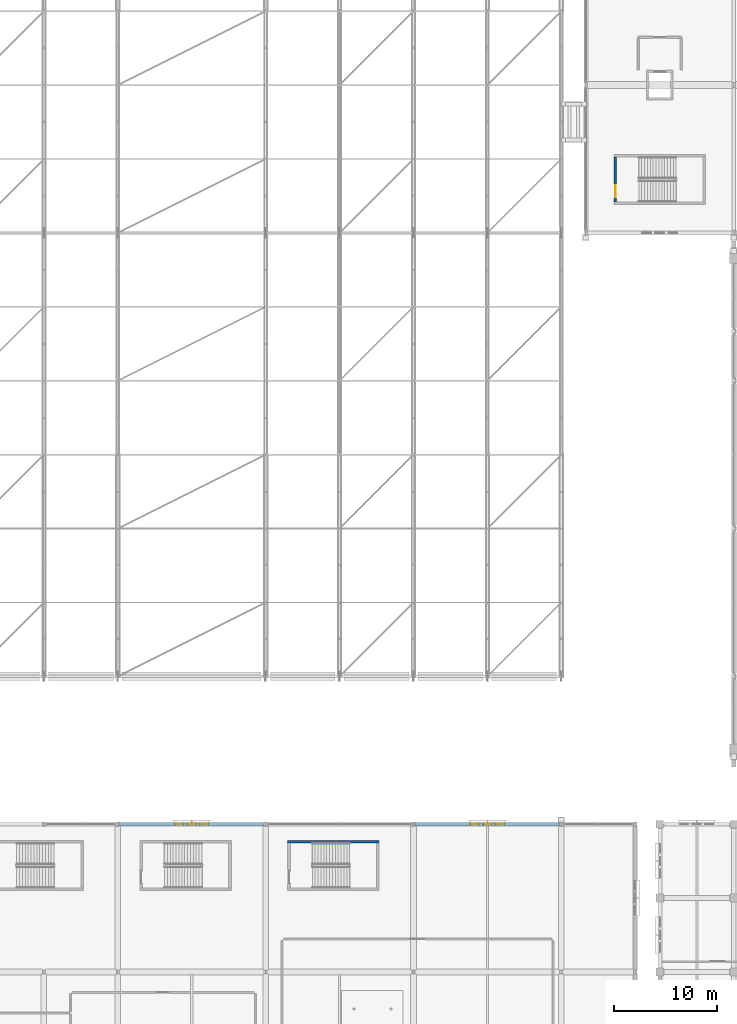
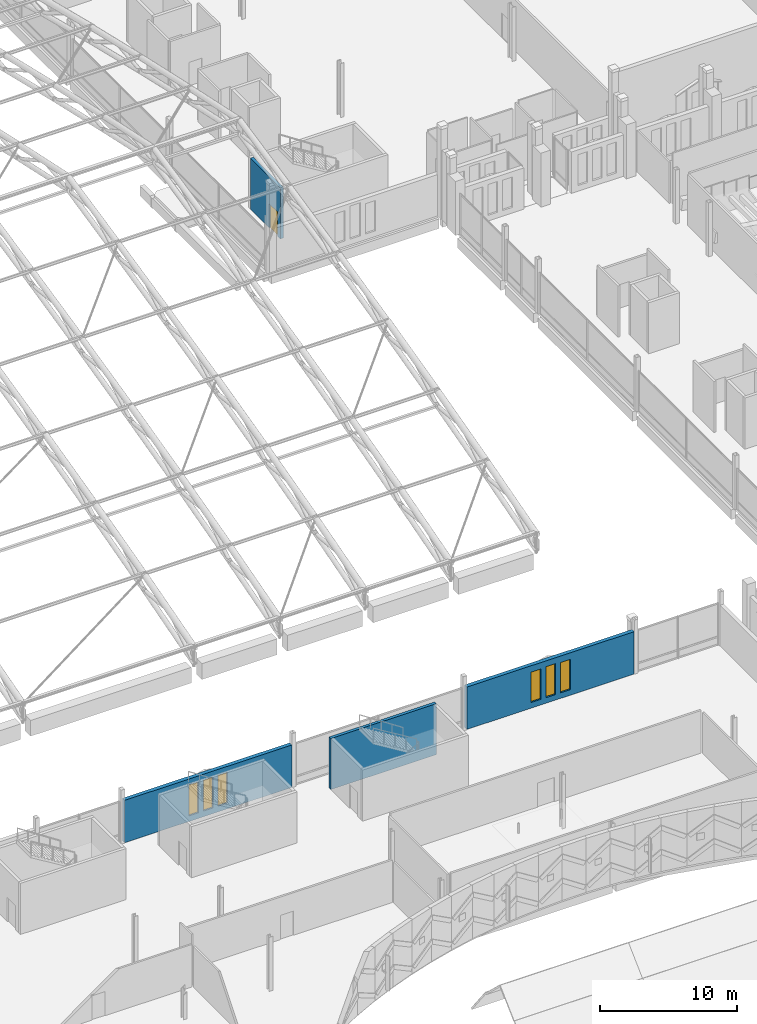
# One storey, part 139 of 193: 6 windows, 4 walls, 1 door, 7 openings.
"""IFC4 building model written with IfcOpenShell, lengths in metres."""

import ifcopenshell
import ifcopenshell.guid

model = None  # the IFC model being written
_history = None  # IfcOwnerHistory: only IFC2X3 demands one
_inside = {}  # id of a spatial element -> (the spatial element, [elements in it])
_under = {}  # id of a project, library or spatial element -> (it, [spatial elements below it])
_declared = {}  # id of a project -> (the project, [libraries it declares])
_typed = {}  # id of a type object -> (the type object, [elements of that type])
_made_of = {}  # id of a material, layer set ... -> (it, [elements and type objects made of it])


def new_model(schema):
    """Start an empty IFC model of exactly this schema.

    Asked for "IFC4X3", IfcOpenShell would pick the latest addendum, in which some entities
    have other attributes; the version numbers below select the first issue.
    IFC2X3 requires an IfcOwnerHistory on every rooted entity: one is made here for all.
    """
    global model, _history
    if schema == "IFC4X3":
        model = ifcopenshell.file(schema_version=(4, 3, 0, 0))
    else:
        model = ifcopenshell.file(schema=schema)
    _inside.clear()
    _under.clear()
    _declared.clear()
    _typed.clear()
    _made_of.clear()
    _history = None
    if model.schema == "IFC2X3":
        org = make("IfcOrganization", Name="unknown")
        user = make(
            "IfcPersonAndOrganization",
            ThePerson=make("IfcPerson", FamilyName="unknown"),
            TheOrganization=org,
        )
        app = make(
            "IfcApplication",
            ApplicationDeveloper=org,
            Version="unknown",
            ApplicationFullName="unknown",
            ApplicationIdentifier="unknown",
        )
        _history = make(
            "IfcOwnerHistory",
            OwningUser=user,
            OwningApplication=app,
            ChangeAction="ADDED",
            CreationDate=0,
        )
    return model


def make(cls, **values):
    """One entity of the class cls with the attributes given. An attribute that is None is left unset."""
    return model.create_entity(
        cls, **{name: value for name, value in values.items() if value is not None}
    )


def rooted(cls, **values):
    """An entity with a GlobalId (a new one), such as an element, a storey or a relation."""
    return make(cls, GlobalId=ifcopenshell.guid.new(), OwnerHistory=_history, **values)


def si_unit(unit_type, name, prefix=None):
    """IfcSIUnit, for example si_unit("LENGTHUNIT", "METRE", prefix="MILLI")."""
    return make("IfcSIUnit", UnitType=unit_type, Prefix=prefix, Name=name)


def assignment(units):
    """IfcUnitAssignment: the units of a project."""
    return None if units is None else make("IfcUnitAssignment", Units=units)


def point(xyz):
    """IfcCartesianPoint."""
    return None if xyz is None else make("IfcCartesianPoint", Coordinates=xyz)


def direction(xyz):
    """IfcDirection."""
    return None if xyz is None else make("IfcDirection", DirectionRatios=xyz)


def frame(location, z_axis=None, x_axis=None):
    """IfcAxis2Placement3D, a coordinate frame: its origin and axes. An axis left out is left unset."""
    return make(
        "IfcAxis2Placement3D",
        Location=point(location),
        Axis=direction(z_axis),
        RefDirection=direction(x_axis),
    )


def frame_2d(location, x_axis=None):
    """IfcAxis2Placement2D, a coordinate frame in the plane: its origin and x axis."""
    return make(
        "IfcAxis2Placement2D", Location=point(location), RefDirection=direction(x_axis)
    )


def origin():
    """The frame at (0, 0, 0) with its axes left unset."""
    return frame((0.0, 0.0, 0.0))


def place(relative_to, where):
    """IfcLocalPlacement: puts the frame where relative to a parent placement (None: the world)."""
    return make(
        "IfcLocalPlacement", PlacementRelTo=relative_to, RelativePlacement=where
    )


def context(
    kind, dimensions, precision=None, world=None, true_north=None, identifier=None
):
    """IfcGeometricRepresentationContext, for example the 3D "Model" context."""
    return make(
        "IfcGeometricRepresentationContext",
        ContextIdentifier=identifier,
        ContextType=kind,
        CoordinateSpaceDimension=dimensions,
        Precision=precision,
        WorldCoordinateSystem=world,
        TrueNorth=true_north,
    )


def subcontext(parent, identifier, kind, view, scale=None):
    """IfcGeometricRepresentationSubContext, for example "Body" below "Model"."""
    return make(
        "IfcGeometricRepresentationSubContext",
        ContextIdentifier=identifier,
        ContextType=kind,
        ParentContext=parent,
        TargetScale=scale,
        TargetView=view,
    )


def project(units=None, contexts=None):
    """IfcProject with its units and contexts."""
    return rooted(
        "IfcProject",
        Name="project",
        RepresentationContexts=contexts,
        UnitsInContext=assignment(units),
    )


def spatial(cls, under=None, at=None, **own):
    """A site, building, storey or space (cls), placed at a placement, below another one or the project."""
    s = rooted(cls, ObjectPlacement=at, **own)
    if under is not None:
        _under.setdefault(under.id(), (under, []))[1].append(s)
    return s


def profile(cls, at=None, kind="AREA", **sizes):
    """A parametric profile (cls). Its sizes go by their IFC names, for example OverallWidth=200.0."""
    return make(cls, ProfileType=kind, Position=at, **sizes)


def rectangle(**sizes):
    """IfcRectangleProfileDef."""
    return profile("IfcRectangleProfileDef", **sizes)


def extrude(swept, where, along, depth):
    """IfcExtrudedAreaSolid: the profile swept, set in the frame where, extruded along a direction by depth."""
    return make(
        "IfcExtrudedAreaSolid",
        SweptArea=swept,
        Position=where,
        ExtrudedDirection=direction(along),
        Depth=depth,
    )


def shape(context_of_items, identifier, shape_type, items):
    """IfcShapeRepresentation: the items that make up one representation, for example the "Body"."""
    return make(
        "IfcShapeRepresentation",
        ContextOfItems=context_of_items,
        RepresentationIdentifier=identifier,
        RepresentationType=shape_type,
        Items=items,
    )


def material(Name=None, Category=None):
    """IfcMaterial."""
    return make("IfcMaterial", Name=Name, Category=Category)


def layer(
    of_material, thickness, ventilated=None, Name=None, Category=None, Priority=None
):
    """IfcMaterialLayer: one layer of a wall or slab, of a material (None: an air gap)."""
    return make(
        "IfcMaterialLayer",
        Material=of_material,
        LayerThickness=thickness,
        IsVentilated=ventilated,
        Name=Name,
        Category=Category,
        Priority=Priority,
    )


def layer_set(layers, Name=None):
    """IfcMaterialLayerSet."""
    return make("IfcMaterialLayerSet", MaterialLayers=layers, LayerSetName=Name)


def made_of(thing, what):
    """Note that an element or type object is made of a material, layer set ...; save() writes the relation."""
    if what is not None:
        _made_of.setdefault(what.id(), (what, []))[1].append(thing)
    return thing


def type_object(cls, material=None, **own):
    """A type object (cls), such as IfcWallType, which elements share."""
    return made_of(rooted(cls, **own), material)


def element(
    cls,
    number,
    at=None,
    inside=None,
    cuts=None,
    type_object=None,
    material=None,
    context=None,
    identifier="Body",
    shape_type=None,
    held_by="IfcProductDefinitionShape",
    body=None,
    shapes=None,
    **own,
):
    """One element of the class cls, such as IfcWall. Its Tag is "e" and its number.

    at: its placement. inside: the storey or other place that contains it. cuts: it is an
    opening in that element (IfcRelVoidsElement). A single representation is given by context,
    identifier, shape_type and body (its items); several are given by shapes. held_by: the class
    of the entity that holds the representations. save() writes the other relations.
    """
    e = rooted(cls, Tag="e%d" % number, ObjectPlacement=at, **own)
    if body is not None:
        shapes = [shape(context, identifier, shape_type, body)]
    if shapes is not None:
        e.Representation = make(held_by, Representations=shapes)
    if inside is not None:
        _inside.setdefault(inside.id(), (inside, []))[1].append(e)
    if cuts is not None:
        rooted(
            "IfcRelVoidsElement", RelatingBuildingElement=cuts, RelatedOpeningElement=e
        )
    if type_object is not None:
        _typed.setdefault(type_object.id(), (type_object, []))[1].append(e)
    return made_of(e, material)


def fill(opening, filler):
    """IfcRelFillsElement: the door or window that sits in an opening."""
    return rooted(
        "IfcRelFillsElement",
        RelatingOpeningElement=opening,
        RelatedBuildingElement=filler,
    )


def aggregate(whole, parts):
    """IfcRelAggregates: a whole, such as a stair, and the parts it consists of."""
    return rooted("IfcRelAggregates", RelatingObject=whole, RelatedObjects=parts)


def save(model, path):
    """Write the relations noted so far, then the file.

    IfcRelAggregates (storeys below a building ...), IfcRelContainedInSpatialStructure (elements
    in a storey), IfcRelDefinesByType, IfcRelAssociatesMaterial and IfcRelDeclares: one each for
    every whole, place, type object, material and project.
    """
    for whole, parts in _under.values():
        aggregate(whole, parts)
    for where, things in _inside.values():
        rooted(
            "IfcRelContainedInSpatialStructure",
            RelatedElements=things,
            RelatingStructure=where,
        )
    for kind, things in _typed.values():
        rooted("IfcRelDefinesByType", RelatedObjects=things, RelatingType=kind)
    for what, things in _made_of.values():
        rooted("IfcRelAssociatesMaterial", RelatedObjects=things, RelatingMaterial=what)
    for by, libraries in _declared.values():
        rooted("IfcRelDeclares", RelatingContext=by, RelatedDefinitions=libraries)
    model.write(path)


model = new_model("IFC4")

# Units and contexts
model_context = context("Model", 3, precision=1e-05, world=origin(), true_north=direction((0.0, 1.0)))
body_context = subcontext(model_context, "Body", "Model", "MODEL_VIEW")
ifc_project = project(units=[si_unit("LENGTHUNIT", "METRE"), si_unit("AREAUNIT", "SQUARE_METRE"), si_unit("VOLUMEUNIT", "CUBIC_METRE"), si_unit("PLANEANGLEUNIT", "RADIAN"), si_unit("MASSUNIT", "GRAM", prefix="KILO")], contexts=[model_context])

# Site, building, storey
site_placement = place(None, origin())
site = spatial("IfcSite", under=ifc_project, at=site_placement, CompositionType="ELEMENT")
building_placement = place(site_placement, origin())
building = spatial("IfcBuilding", under=site, at=building_placement, Name="Cendralis Lancet Convention Centre", CompositionType="ELEMENT")
storey_placement = place(building_placement, frame((0.0, 0.0, 10.199951171875)))
storey = spatial("IfcBuildingStorey", under=building, at=storey_placement, Name="L02", CompositionType="ELEMENT", Elevation=10.199951171875)

# Wall, openings, windows
ifc_material_1 = material(Name="Buff sandstone ashlar and Concrete G40 (C40/50)", Category="masonry")
ifc_layer_1 = layer(ifc_material_1, 0.320068359375, Name="Buff sandstone ashlar and Concrete G40 (C40/50)")
ifc_layer_set_1 = layer_set([ifc_layer_1], Name="Buff sandstone ashlar and Concrete G40 (C40/50)")
wall_type_1 = type_object("IfcWallType", Name="ARC-EW-W320", PredefinedType="STANDARD", material=ifc_layer_set_1)
wall_1_placement = place(storey_placement, frame((79.35791015625, 36.0, 0.0), z_axis=(0.0, 0.0, 1.0), x_axis=(1.0, 0.0, 0.0)))
wall_1 = element("IfcWall", 1, at=wall_1_placement, inside=storey, type_object=wall_type_1, Name="L02 V4 Exterior Wall EW-06 #0209", PredefinedType="STANDARD", context=body_context, shape_type="SweptSolid", body=[
    extrude(rectangle(XDim=14.083984375, YDim=0.320068359375, at=frame_2d((7.0419921875, 0.0))), origin(), (0.0, 0.0, 1.0), 3.775146484375),
])
opening_1_placement = place(wall_1_placement, frame((5.422119140625, 0.0, 0.5)))
opening_1 = element("IfcOpeningElement", 2, at=opening_1_placement, cuts=wall_1, Name="Opening WN-07", PredefinedType="OPENING", context=body_context, shape_type="SweptSolid", body=[
    extrude(rectangle(XDim=0.800048828125, YDim=2.75, at=frame_2d((0.39990234375, 1.375))), frame((0.0, 0.169921875, 0.0), z_axis=(0.0, -1.0, 0.0), x_axis=(1.0, 0.0, 0.0)), (0.0, 0.0, 1.0), 0.340087890625),
])
opening_2_placement = place(wall_1_placement, frame((6.64208984375, 0.0, 0.5)))
opening_2 = element("IfcOpeningElement", 3, at=opening_2_placement, cuts=wall_1, Name="Opening WN-07", PredefinedType="OPENING", context=body_context, shape_type="SweptSolid", body=[
    extrude(rectangle(XDim=0.800048828125, YDim=2.75, at=frame_2d((0.39990234375, 1.375))), frame((0.0, 0.169921875, 0.0), z_axis=(0.0, -1.0, 0.0), x_axis=(1.0, 0.0, 0.0)), (0.0, 0.0, 1.0), 0.340087890625),
])
opening_3_placement = place(wall_1_placement, frame((7.862060546875, 0.0, 0.5)))
opening_3 = element("IfcOpeningElement", 4, at=opening_3_placement, cuts=wall_1, Name="Opening WN-07", PredefinedType="OPENING", context=body_context, shape_type="SweptSolid", body=[
    extrude(rectangle(XDim=0.800048828125, YDim=2.75, at=frame_2d((0.39990234375, 1.375))), frame((0.0, 0.169921875, 0.0), z_axis=(0.0, -1.0, 0.0), x_axis=(1.0, 0.0, 0.0)), (0.0, 0.0, 1.0), 0.340087890625),
])
ifc_material_2 = material(Name="Double-glazed low-E solar-control glass", Category="glass")
window_type_1 = type_object("IfcWindowType", Name="ARC-WN-LW07", PartitioningType="SINGLE_PANEL", PredefinedType="WINDOW", material=ifc_material_2)
window_1_placement = place(opening_1_placement, origin())
window_1 = element("IfcWindow", 5, at=window_1_placement, inside=storey, type_object=window_type_1, Name="Gothic Lancet Window WN-07 #0412", OverallHeight=2.75, OverallWidth=0.800048828125, PartitioningType="SINGLE_PANEL", PredefinedType="WINDOW", context=body_context, shape_type="SweptSolid", body=[
    extrude(rectangle(XDim=0.800048828125, YDim=2.75, at=frame_2d((0.39990234375, 1.375))), frame((0.0, 0.030029296875, 0.0), z_axis=(0.0, -1.0, 0.0), x_axis=(1.0, 0.0, 0.0)), (0.0, 0.0, 1.0), 0.06005859375),
])
fill(opening_1, window_1)
window_2_placement = place(opening_2_placement, origin())
window_2 = element("IfcWindow", 6, at=window_2_placement, inside=storey, type_object=window_type_1, Name="Gothic Lancet Window WN-07 #0413", OverallHeight=2.75, OverallWidth=0.800048828125, PartitioningType="SINGLE_PANEL", PredefinedType="WINDOW", context=body_context, shape_type="SweptSolid", body=[
    extrude(rectangle(XDim=0.800048828125, YDim=2.75, at=frame_2d((0.39990234375, 1.375))), frame((0.0, 0.030029296875, 0.0), z_axis=(0.0, -1.0, 0.0), x_axis=(1.0, 0.0, 0.0)), (0.0, 0.0, 1.0), 0.06005859375),
])
fill(opening_2, window_2)
window_3_placement = place(opening_3_placement, origin())
window_3 = element("IfcWindow", 7, at=window_3_placement, inside=storey, type_object=window_type_1, Name="Gothic Lancet Window WN-07 #0414", OverallHeight=2.75, OverallWidth=0.800048828125, PartitioningType="SINGLE_PANEL", PredefinedType="WINDOW", context=body_context, shape_type="SweptSolid", body=[
    extrude(rectangle(XDim=0.800048828125, YDim=2.75, at=frame_2d((0.39990234375, 1.375))), frame((0.0, 0.030029296875, 0.0), z_axis=(0.0, -1.0, 0.0), x_axis=(1.0, 0.0, 0.0)), (0.0, 0.0, 1.0), 0.06005859375),
])
fill(opening_3, window_3)

wall_2_placement = place(storey_placement, frame((108.157958984375, 36.0, 0.0), z_axis=(0.0, 0.0, 1.0), x_axis=(1.0, 0.0, 0.0)))
wall_2 = element("IfcWall", 8, at=wall_2_placement, inside=storey, type_object=wall_type_1, Name="L02 V4 Exterior Wall EW-06 #0210", PredefinedType="STANDARD", context=body_context, shape_type="SweptSolid", body=[
    extrude(rectangle(XDim=14.083984375, YDim=0.320068359375, at=frame_2d((7.0419921875, 0.0))), origin(), (0.0, 0.0, 1.0), 3.775146484375),
])
opening_4_placement = place(wall_2_placement, frame((5.382080078125, 0.0, 0.5)))
opening_4 = element("IfcOpeningElement", 9, at=opening_4_placement, cuts=wall_2, Name="Opening WN-15", PredefinedType="OPENING", context=body_context, shape_type="SweptSolid", body=[
    extrude(rectangle(XDim=0.840087890625, YDim=2.699951171875, at=frame_2d((0.419921875, 1.35009765625))), frame((0.0, 0.169921875, 0.0), z_axis=(0.0, -1.0, 0.0), x_axis=(1.0, 0.0, 0.0)), (0.0, 0.0, 1.0), 0.340087890625),
])
opening_5_placement = place(wall_2_placement, frame((6.64208984375, 0.0, 0.5)))
opening_5 = element("IfcOpeningElement", 10, at=opening_5_placement, cuts=wall_2, Name="Opening WN-07", PredefinedType="OPENING", context=body_context, shape_type="SweptSolid", body=[
    extrude(rectangle(XDim=0.800048828125, YDim=2.75, at=frame_2d((0.39990234375, 1.375))), frame((0.0, 0.169921875, 0.0), z_axis=(0.0, -1.0, 0.0), x_axis=(1.0, 0.0, 0.0)), (0.0, 0.0, 1.0), 0.340087890625),
])
opening_6_placement = place(wall_2_placement, frame((7.862060546875, 0.0, 0.5)))
opening_6 = element("IfcOpeningElement", 11, at=opening_6_placement, cuts=wall_2, Name="Opening WN-15", PredefinedType="OPENING", context=body_context, shape_type="SweptSolid", body=[
    extrude(rectangle(XDim=0.840087890625, YDim=2.699951171875, at=frame_2d((0.419921875, 1.35009765625))), frame((0.0, 0.169921875, 0.0), z_axis=(0.0, -1.0, 0.0), x_axis=(1.0, 0.0, 0.0)), (0.0, 0.0, 1.0), 0.340087890625),
])
window_4_placement = place(opening_5_placement, origin())
window_4 = element("IfcWindow", 12, at=window_4_placement, inside=storey, type_object=window_type_1, Name="Gothic Lancet Window WN-07 #0416", OverallHeight=2.75, OverallWidth=0.800048828125, PartitioningType="SINGLE_PANEL", PredefinedType="WINDOW", context=body_context, shape_type="SweptSolid", body=[
    extrude(rectangle(XDim=0.800048828125, YDim=2.75, at=frame_2d((0.39990234375, 1.375))), frame((0.0, 0.030029296875, 0.0), z_axis=(0.0, -1.0, 0.0), x_axis=(1.0, 0.0, 0.0)), (0.0, 0.0, 1.0), 0.06005859375),
])
fill(opening_5, window_4)
window_type_2 = type_object("IfcWindowType", Name="ARC-WN-LW15", PartitioningType="SINGLE_PANEL", PredefinedType="WINDOW", material=ifc_material_2)
window_5_placement = place(opening_4_placement, origin())
window_5 = element("IfcWindow", 13, at=window_5_placement, inside=storey, type_object=window_type_2, Name="Gothic Lancet Window WN-15 #0415", OverallHeight=2.699951171875, OverallWidth=0.840087890625, PartitioningType="SINGLE_PANEL", PredefinedType="WINDOW", context=body_context, shape_type="SweptSolid", body=[
    extrude(rectangle(XDim=0.840087890625, YDim=2.699951171875, at=frame_2d((0.419921875, 1.35009765625))), frame((0.0, 0.030029296875, 0.0), z_axis=(0.0, -1.0, 0.0), x_axis=(1.0, 0.0, 0.0)), (0.0, 0.0, 1.0), 0.06005859375),
])
fill(opening_4, window_5)
window_6_placement = place(opening_6_placement, origin())
window_6 = element("IfcWindow", 14, at=window_6_placement, inside=storey, type_object=window_type_2, Name="Gothic Lancet Window WN-15 #0417", OverallHeight=2.699951171875, OverallWidth=0.840087890625, PartitioningType="SINGLE_PANEL", PredefinedType="WINDOW", context=body_context, shape_type="SweptSolid", body=[
    extrude(rectangle(XDim=0.840087890625, YDim=2.699951171875, at=frame_2d((0.419921875, 1.35009765625))), frame((0.0, 0.030029296875, 0.0), z_axis=(0.0, -1.0, 0.0), x_axis=(1.0, 0.0, 0.0)), (0.0, 0.0, 1.0), 0.06005859375),
])
fill(opening_6, window_6)

# Wall, opening, door
ifc_material_3 = material(Name="Concrete G40 (C40/50)", Category="concrete")
ifc_layer_2 = layer(ifc_material_3, 0.25, Name="Concrete G40 (C40/50)")
ifc_layer_set_2 = layer_set([ifc_layer_2], Name="Concrete G40 (C40/50)")
wall_type_2 = type_object("IfcWallType", Name="STR-SW-CW250", PredefinedType="SHEAR", material=ifc_layer_set_2)
wall_3_placement = place(storey_placement, frame((127.675048828125, 96.60009765625, 0.0), z_axis=(0.0, 0.0, 1.0), x_axis=(0.0, 1.0, 0.0)))
wall_3 = element("IfcWall", 15, at=wall_3_placement, inside=storey, type_object=wall_type_2, Name="L02 Stair Core ST-07 West Shear Wall", PredefinedType="SHEAR", context=body_context, shape_type="SweptSolid", body=[
    extrude(rectangle(XDim=4.3798828125, YDim=0.25, at=frame_2d((2.18994140625, 0.0))), origin(), (0.0, 0.0, 1.0), 4.5400390625),
])
opening_7_placement = place(wall_3_placement, frame((0.449951171875, 0.0, 0.0)))
opening_7 = element("IfcOpeningElement", 16, at=opening_7_placement, cuts=wall_3, Name="Opening SD-12", PredefinedType="OPENING", context=body_context, shape_type="SweptSolid", body=[
    extrude(rectangle(XDim=1.199951171875, YDim=2.14990234375, at=frame_2d((0.60009765625, 1.074951171875))), frame((0.0, 0.135009765625, 0.0), z_axis=(0.0, -1.0, 0.0), x_axis=(1.0, 0.0, 0.0)), (0.0, 0.0, 1.0), 0.27001953125),
])
ifc_material_4 = material(Name="Steel S355", Category="steel")
door_type = type_object("IfcDoorType", Name="ARC-DR-ST12", OperationType="NOTDEFINED", PredefinedType="DOOR", material=ifc_material_4)
door_placement = place(opening_7_placement, frame((1.199951171875, 0.0, 0.0), z_axis=(0.0, 0.0, 1.0), x_axis=(-1.0, 0.0, 0.0)))
door = element("IfcDoor", 17, at=door_placement, inside=storey, type_object=door_type, Name="L02-D054 L02 Exit Stair ST-07 Fire Door", OperationType="SINGLE_SWING_LEFT", OverallHeight=2.14990234375, OverallWidth=1.199951171875, PredefinedType="DOOR", context=body_context, shape_type="SweptSolid", body=[
    extrude(rectangle(XDim=1.199951171875, YDim=2.14990234375, at=frame_2d((0.60009765625, 1.074951171875))), frame((0.0, 0.02490234375, 0.0), z_axis=(0.0, -1.0, 0.0), x_axis=(1.0, 0.0, 0.0)), (0.0, 0.0, 1.0), 0.050048828125),
])
fill(opening_7, door)

# Wall
wall_4_placement = place(storey_placement, frame((95.75, 34.304931640625, 0.0), z_axis=(0.0, 0.0, 1.0), x_axis=(1.0, 0.0, 0.0)))
element("IfcWall", 18, at=wall_4_placement, inside=storey, type_object=wall_type_2, Name="L02 Stair Core ST-18 North Shear Wall", PredefinedType="SHEAR", context=body_context, shape_type="SweptSolid", body=[
    extrude(rectangle(XDim=8.89990234375, YDim=0.25, at=frame_2d((4.449951171875, 0.0))), origin(), (0.0, 0.0, 1.0), 4.5400390625),
])

save(model, "model.ifc")
